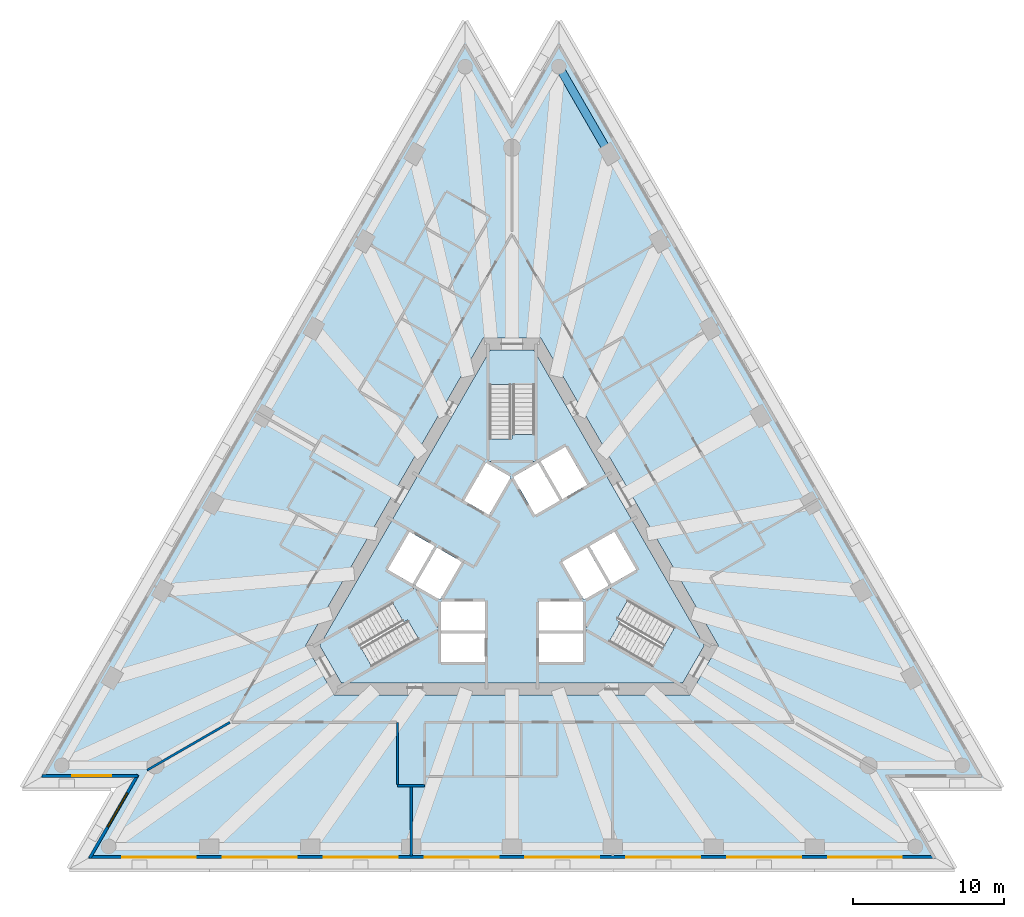
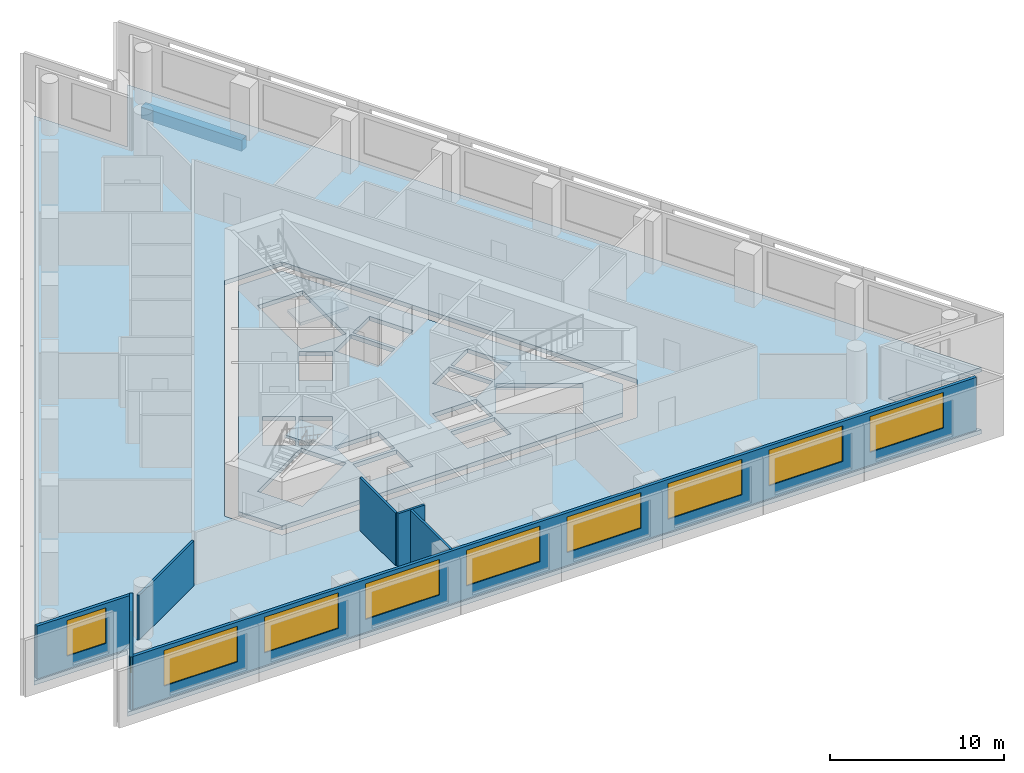
# One storey, part 2 of 9: 10 windows, 7 walls, 5 slabs, 1 beam, 10 openings, 3 elements without a shape of their own.
"""IFC4 building model written with IfcOpenShell, lengths in metres."""

import ifcopenshell
import ifcopenshell.guid

model = None  # the IFC model being written
_history = None  # IfcOwnerHistory: only IFC2X3 demands one
_inside = {}  # id of a spatial element -> (the spatial element, [elements in it])
_under = {}  # id of a project, library or spatial element -> (it, [spatial elements below it])
_declared = {}  # id of a project -> (the project, [libraries it declares])
_typed = {}  # id of a type object -> (the type object, [elements of that type])
_made_of = {}  # id of a material, layer set ... -> (it, [elements and type objects made of it])


def new_model(schema):
    """Start an empty IFC model of exactly this schema.

    Asked for "IFC4X3", IfcOpenShell would pick the latest addendum, in which some entities
    have other attributes; the version numbers below select the first issue.
    IFC2X3 requires an IfcOwnerHistory on every rooted entity: one is made here for all.
    """
    global model, _history
    if schema == "IFC4X3":
        model = ifcopenshell.file(schema_version=(4, 3, 0, 0))
    else:
        model = ifcopenshell.file(schema=schema)
    _inside.clear()
    _under.clear()
    _declared.clear()
    _typed.clear()
    _made_of.clear()
    _history = None
    if model.schema == "IFC2X3":
        org = make("IfcOrganization", Name="unknown")
        user = make(
            "IfcPersonAndOrganization",
            ThePerson=make("IfcPerson", FamilyName="unknown"),
            TheOrganization=org,
        )
        app = make(
            "IfcApplication",
            ApplicationDeveloper=org,
            Version="unknown",
            ApplicationFullName="unknown",
            ApplicationIdentifier="unknown",
        )
        _history = make(
            "IfcOwnerHistory",
            OwningUser=user,
            OwningApplication=app,
            ChangeAction="ADDED",
            CreationDate=0,
        )
    return model


def make(cls, **values):
    """One entity of the class cls with the attributes given. An attribute that is None is left unset."""
    return model.create_entity(
        cls, **{name: value for name, value in values.items() if value is not None}
    )


def rooted(cls, **values):
    """An entity with a GlobalId (a new one), such as an element, a storey or a relation."""
    return make(cls, GlobalId=ifcopenshell.guid.new(), OwnerHistory=_history, **values)


def si_unit(unit_type, name, prefix=None):
    """IfcSIUnit, for example si_unit("LENGTHUNIT", "METRE", prefix="MILLI")."""
    return make("IfcSIUnit", UnitType=unit_type, Prefix=prefix, Name=name)


def assignment(units):
    """IfcUnitAssignment: the units of a project."""
    return None if units is None else make("IfcUnitAssignment", Units=units)


def point(xyz):
    """IfcCartesianPoint."""
    return None if xyz is None else make("IfcCartesianPoint", Coordinates=xyz)


def direction(xyz):
    """IfcDirection."""
    return None if xyz is None else make("IfcDirection", DirectionRatios=xyz)


def frame(location, z_axis=None, x_axis=None):
    """IfcAxis2Placement3D, a coordinate frame: its origin and axes. An axis left out is left unset."""
    return make(
        "IfcAxis2Placement3D",
        Location=point(location),
        Axis=direction(z_axis),
        RefDirection=direction(x_axis),
    )


def frame_2d(location, x_axis=None):
    """IfcAxis2Placement2D, a coordinate frame in the plane: its origin and x axis."""
    return make(
        "IfcAxis2Placement2D", Location=point(location), RefDirection=direction(x_axis)
    )


def origin():
    """The frame at (0, 0, 0) with its axes left unset."""
    return frame((0.0, 0.0, 0.0))


def origin_2d():
    """The frame at (0, 0) in the plane with its x axis left unset."""
    return frame_2d((0.0, 0.0))


def place(relative_to, where):
    """IfcLocalPlacement: puts the frame where relative to a parent placement (None: the world)."""
    return make(
        "IfcLocalPlacement", PlacementRelTo=relative_to, RelativePlacement=where
    )


def context(
    kind, dimensions, precision=None, world=None, true_north=None, identifier=None
):
    """IfcGeometricRepresentationContext, for example the 3D "Model" context."""
    return make(
        "IfcGeometricRepresentationContext",
        ContextIdentifier=identifier,
        ContextType=kind,
        CoordinateSpaceDimension=dimensions,
        Precision=precision,
        WorldCoordinateSystem=world,
        TrueNorth=true_north,
    )


def subcontext(parent, identifier, kind, view, scale=None):
    """IfcGeometricRepresentationSubContext, for example "Body" below "Model"."""
    return make(
        "IfcGeometricRepresentationSubContext",
        ContextIdentifier=identifier,
        ContextType=kind,
        ParentContext=parent,
        TargetScale=scale,
        TargetView=view,
    )


def project(units=None, contexts=None):
    """IfcProject with its units and contexts."""
    return rooted(
        "IfcProject",
        Name="project",
        RepresentationContexts=contexts,
        UnitsInContext=assignment(units),
    )


def spatial(cls, under=None, at=None, **own):
    """A site, building, storey or space (cls), placed at a placement, below another one or the project."""
    s = rooted(cls, ObjectPlacement=at, **own)
    if under is not None:
        _under.setdefault(under.id(), (under, []))[1].append(s)
    return s


def polyline(points):
    """IfcPolyline through the points."""
    return make("IfcPolyline", Points=[point(p) for p in points])


def profile(cls, at=None, kind="AREA", **sizes):
    """A parametric profile (cls). Its sizes go by their IFC names, for example OverallWidth=200.0."""
    return make(cls, ProfileType=kind, Position=at, **sizes)


def rectangle(**sizes):
    """IfcRectangleProfileDef."""
    return profile("IfcRectangleProfileDef", **sizes)


def outline(outer, holes=None, kind="AREA"):
    """IfcArbitraryClosedProfileDef: a profile drawn as a closed curve; with holes, ...WithVoids."""
    if holes is None:
        return make("IfcArbitraryClosedProfileDef", ProfileType=kind, OuterCurve=outer)
    return make(
        "IfcArbitraryProfileDefWithVoids",
        ProfileType=kind,
        OuterCurve=outer,
        InnerCurves=holes,
    )


def extrude(swept, where, along, depth):
    """IfcExtrudedAreaSolid: the profile swept, set in the frame where, extruded along a direction by depth."""
    return make(
        "IfcExtrudedAreaSolid",
        SweptArea=swept,
        Position=where,
        ExtrudedDirection=direction(along),
        Depth=depth,
    )


def shape(context_of_items, identifier, shape_type, items):
    """IfcShapeRepresentation: the items that make up one representation, for example the "Body"."""
    return make(
        "IfcShapeRepresentation",
        ContextOfItems=context_of_items,
        RepresentationIdentifier=identifier,
        RepresentationType=shape_type,
        Items=items,
    )


def material(Name=None, Category=None):
    """IfcMaterial."""
    return make("IfcMaterial", Name=Name, Category=Category)


def layer(
    of_material, thickness, ventilated=None, Name=None, Category=None, Priority=None
):
    """IfcMaterialLayer: one layer of a wall or slab, of a material (None: an air gap)."""
    return make(
        "IfcMaterialLayer",
        Material=of_material,
        LayerThickness=thickness,
        IsVentilated=ventilated,
        Name=Name,
        Category=Category,
        Priority=Priority,
    )


def layer_set(layers, Name=None):
    """IfcMaterialLayerSet."""
    return make("IfcMaterialLayerSet", MaterialLayers=layers, LayerSetName=Name)


def layer_usage(for_layer_set, set_direction, sense, offset, extent=None):
    """IfcMaterialLayerSetUsage: how a layer set lies in its element."""
    return make(
        "IfcMaterialLayerSetUsage",
        ForLayerSet=for_layer_set,
        LayerSetDirection=set_direction,
        DirectionSense=sense,
        OffsetFromReferenceLine=offset,
        ReferenceExtent=extent,
    )


def material_profile(
    of_material, cross_section, Name=None, Category=None, Priority=None
):
    """IfcMaterialProfile: a cross section and its material."""
    return make(
        "IfcMaterialProfile",
        Name=Name,
        Material=of_material,
        Profile=cross_section,
        Priority=Priority,
        Category=Category,
    )


def profile_set(profiles, Name=None, composite=None):
    """IfcMaterialProfileSet."""
    return make(
        "IfcMaterialProfileSet",
        Name=Name,
        MaterialProfiles=profiles,
        CompositeProfile=composite,
    )


def made_of(thing, what):
    """Note that an element or type object is made of a material, layer set ...; save() writes the relation."""
    if what is not None:
        _made_of.setdefault(what.id(), (what, []))[1].append(thing)
    return thing


def type_object(cls, material=None, **own):
    """A type object (cls), such as IfcWallType, which elements share."""
    return made_of(rooted(cls, **own), material)


def element(
    cls,
    number,
    at=None,
    inside=None,
    cuts=None,
    type_object=None,
    material=None,
    context=None,
    identifier="Body",
    shape_type=None,
    held_by="IfcProductDefinitionShape",
    body=None,
    shapes=None,
    **own,
):
    """One element of the class cls, such as IfcWall. Its Tag is "e" and its number.

    at: its placement. inside: the storey or other place that contains it. cuts: it is an
    opening in that element (IfcRelVoidsElement). A single representation is given by context,
    identifier, shape_type and body (its items); several are given by shapes. held_by: the class
    of the entity that holds the representations. save() writes the other relations.
    """
    e = rooted(cls, Tag="e%d" % number, ObjectPlacement=at, **own)
    if body is not None:
        shapes = [shape(context, identifier, shape_type, body)]
    if shapes is not None:
        e.Representation = make(held_by, Representations=shapes)
    if inside is not None:
        _inside.setdefault(inside.id(), (inside, []))[1].append(e)
    if cuts is not None:
        rooted(
            "IfcRelVoidsElement", RelatingBuildingElement=cuts, RelatedOpeningElement=e
        )
    if type_object is not None:
        _typed.setdefault(type_object.id(), (type_object, []))[1].append(e)
    return made_of(e, material)


def fill(opening, filler):
    """IfcRelFillsElement: the door or window that sits in an opening."""
    return rooted(
        "IfcRelFillsElement",
        RelatingOpeningElement=opening,
        RelatedBuildingElement=filler,
    )


def aggregate(whole, parts):
    """IfcRelAggregates: a whole, such as a stair, and the parts it consists of."""
    return rooted("IfcRelAggregates", RelatingObject=whole, RelatedObjects=parts)


def save(model, path):
    """Write the relations noted so far, then the file.

    IfcRelAggregates (storeys below a building ...), IfcRelContainedInSpatialStructure (elements
    in a storey), IfcRelDefinesByType, IfcRelAssociatesMaterial and IfcRelDeclares: one each for
    every whole, place, type object, material and project.
    """
    for whole, parts in _under.values():
        aggregate(whole, parts)
    for where, things in _inside.values():
        rooted(
            "IfcRelContainedInSpatialStructure",
            RelatedElements=things,
            RelatingStructure=where,
        )
    for kind, things in _typed.values():
        rooted("IfcRelDefinesByType", RelatedObjects=things, RelatingType=kind)
    for what, things in _made_of.values():
        rooted("IfcRelAssociatesMaterial", RelatedObjects=things, RelatingMaterial=what)
    for by, libraries in _declared.values():
        rooted("IfcRelDeclares", RelatingContext=by, RelatedDefinitions=libraries)
    model.write(path)


model = new_model("IFC4")

# Units and contexts
model_context = context("Model", 3, precision=1e-05, world=origin(), true_north=direction((0.0, 1.0)))
body_context = subcontext(model_context, "Body", "Model", "MODEL_VIEW")
ifc_project = project(units=[si_unit("LENGTHUNIT", "METRE"), si_unit("AREAUNIT", "SQUARE_METRE"), si_unit("VOLUMEUNIT", "CUBIC_METRE"), si_unit("PLANEANGLEUNIT", "RADIAN"), si_unit("MASSUNIT", "GRAM", prefix="KILO")], contexts=[model_context])

# Site, building, storey
site_placement = place(None, origin())
site = spatial("IfcSite", under=ifc_project, at=site_placement, CompositionType="ELEMENT")
building_placement = place(site_placement, origin())
building = spatial("IfcBuilding", under=site, at=building_placement, Name="Triada Interchange Tower", CompositionType="ELEMENT")
storey_placement = place(building_placement, frame((0.0, 0.0, 148.300048828125)))
storey = spatial("IfcBuildingStorey", under=building, at=storey_placement, Name="L34", CompositionType="ELEMENT", Elevation=148.300048828125)

# Beam
ifc_material_1 = material(Name="Concrete C50/60", Category="concrete")
ifc_material_profile = material_profile(ifc_material_1, rectangle(XDim=0.550048828125, YDim=0.800048828125, at=origin_2d()), Name="RC 550x800")
ifc_profile_set = profile_set([ifc_material_profile], Name="Concrete C50/60")
beam_type = type_object("IfcBeamType", Name="Spandrel beam B RC 550x800", PredefinedType="BEAM", material=ifc_profile_set)
beam_placement = place(storey_placement, frame((6.452880859375, 26.89990234375, -0.699951171875), z_axis=(-0.499965681329, 0.866045216772, 0.0), x_axis=(-0.866045216772, -0.499965681329, 0.0)))
element("IfcBeam", 1, at=beam_placement, inside=storey, type_object=beam_type, Name="Spandrel beam EB28 L34", PredefinedType="BEAM", context=body_context, shape_type="SweptSolid", body=[
    extrude(rectangle(XDim=0.550048828125, YDim=0.800048828125, at=origin_2d()), origin(), (0.0, 0.0, 1.0), 6.6904296875),
])

# Slabs
ifc_layer_1 = layer(ifc_material_1, 0.300048828125)
ifc_layer_set_1 = layer_set([ifc_layer_1], Name="Floor slab 300")
slab_type_1 = type_object("IfcSlabType", Name="Floor slab 300", PredefinedType="FLOOR", material=ifc_layer_set_1)
slab_1_placement = place(storey_placement, frame((0.0, 0.0, -0.300048828125)))
element("IfcSlab", 2, at=slab_1_placement, inside=storey, type_object=slab_type_1, Name="Floor slab L34", PredefinedType="FLOOR", context=body_context, shape_type="SweptSolid", body=[
    extrude(outline(polyline([(-3.10791015625, 34.493896484375), (-31.427001953125, -14.554931640625), (-25.2109375, -14.554931640625), (-28.319091796875, -19.93896484375), (28.319091796875, -19.93896484375), (25.2109375, -14.554931640625), (31.427001953125, -14.554931640625), (3.10791015625, 34.493896484375), (0.0, 29.111083984375), (-3.10791015625, 34.493896484375)]), holes=[polyline([(1.905029296875, 14.699951171875), (-1.905029296875, 14.699951171875), (-13.68310546875, -5.699951171875), (-11.778076171875, -9.0), (11.778076171875, -9.0), (13.68310546875, -5.699951171875), (1.905029296875, 14.699951171875)])]), origin(), (0.0, 0.0, 1.0), 0.300048828125),
])
slab_2_placement = place(storey_placement, frame((0.0, 0.0, -0.300048828125)))
element("IfcSlab", 3, at=slab_2_placement, inside=storey, type_object=slab_type_1, Name="Core floor slab L34 1", PredefinedType="FLOOR", context=body_context, shape_type="SweptSolid", body=[
    extrude(outline(polyline([(12.759033203125, -5.699951171875), (11.31591796875, -8.199951171875), (-11.31591796875, -8.199951171875), (-12.759033203125, -5.699951171875), (-1.443115234375, 13.89990234375), (1.443115234375, 13.89990234375), (12.759033203125, -5.699951171875)]), holes=[polyline([(9.2958984375, -7.09912109375), (10.7958984375, -4.5009765625), (6.466064453125, -2.0009765625), (4.966064453125, -4.59912109375), (9.2958984375, -7.09912109375)]), polyline([(6.7890625, 1.841064453125), (5.14404296875, 0.89111328125), (6.593994140625, -1.6201171875), (8.239013671875, -0.669921875), (6.7890625, 1.841064453125)]), polyline([(4.77490234375, -2.669921875), (6.419921875, -1.719970703125), (4.969970703125, 0.791015625), (3.9150390625, 0.181884765625), (3.324951171875, -0.158935546875), (4.77490234375, -2.669921875)]), polyline([(1.89404296875, 6.52001953125), (3.343994140625, 4.009033203125), (4.989013671875, 4.958984375), (3.5390625, 7.469970703125), (1.89404296875, 6.52001953125)]), polyline([(4.699951171875, -6.800048828125), (4.699951171875, -4.89990234375), (1.800048828125, -4.89990234375), (1.800048828125, -6.800048828125), (4.699951171875, -6.800048828125)]), polyline([(4.699951171875, -2.800048828125), (1.800048828125, -2.800048828125), (1.800048828125, -4.699951171875), (4.699951171875, -4.699951171875), (4.699951171875, -2.800048828125)]), polyline([(0.074951171875, 5.469970703125), (1.52490234375, 2.958984375), (3.169921875, 3.908935546875), (1.719970703125, 6.419921875), (0.074951171875, 5.469970703125)]), polyline([(1.5, 11.60009765625), (-1.5, 11.60009765625), (-1.5, 6.60009765625), (1.5, 6.60009765625), (1.5, 11.60009765625)]), polyline([(-1.52490234375, 2.958984375), (-0.074951171875, 5.469970703125), (-1.719970703125, 6.419921875), (-3.169921875, 3.908935546875), (-1.52490234375, 2.958984375)]), polyline([(-1.800048828125, -2.800048828125), (-4.699951171875, -2.800048828125), (-4.699951171875, -4.699951171875), (-1.800048828125, -4.699951171875), (-1.800048828125, -2.800048828125)]), polyline([(-4.699951171875, -6.800048828125), (-1.800048828125, -6.800048828125), (-1.800048828125, -4.89990234375), (-4.699951171875, -4.89990234375), (-4.699951171875, -6.800048828125)]), polyline([(-4.77490234375, -2.669921875), (-3.324951171875, -0.158935546875), (-4.969970703125, 0.791015625), (-6.419921875, -1.719970703125), (-4.77490234375, -2.669921875)]), polyline([(-10.7958984375, -4.5009765625), (-9.2958984375, -7.09912109375), (-4.966064453125, -4.59912109375), (-6.466064453125, -2.0009765625), (-10.7958984375, -4.5009765625)]), polyline([(-6.593994140625, -1.6201171875), (-5.14404296875, 0.89111328125), (-6.7890625, 1.841064453125), (-8.239013671875, -0.669921875), (-6.593994140625, -1.6201171875)])]), origin(), (0.0, 0.0, 1.0), 0.300048828125),
])

# Stair, slab
ifc_material_2 = material(Name="Concrete C35/45", Category="concrete")
stair_type = type_object("IfcStairType", Name="HALF TURN STAIR 1400", PredefinedType="HALF_TURN_STAIR", material=ifc_material_2)
stair_1_placement = place(storey_placement, origin())
stair_1 = element("IfcStair", 4, at=stair_1_placement, inside=storey, type_object=stair_type, Name="Exit stair S32-1", PredefinedType="HALF_TURN_STAIR")
ifc_layer_2 = layer(ifc_material_2, 0.199951171875)
ifc_layer_set_2 = layer_set([ifc_layer_2], Name="STAIR LANDING 200")
slab_type_2 = type_object("IfcSlabType", Name="STAIR LANDING 200", PredefinedType="LANDING", material=ifc_layer_set_2)
slab_3_placement = place(storey_placement, frame((0.0, 0.0, 1.719970703125)))
slab_3 = element("IfcSlab", 5, at=slab_3_placement, type_object=slab_type_2, Name="S32-1 landing 1", PredefinedType="LANDING", context=body_context, shape_type="SweptSolid", body=[
    extrude(outline(polyline([(1.60009765625, 6.5), (1.60009765625, 8.300048828125), (0.0, 8.300048828125), (0.0, 8.0), (-1.60009765625, 8.0), (-1.60009765625, 6.5), (1.60009765625, 6.5)])), origin(), (0.0, 0.0, 1.0), 0.199951171875),
])
aggregate(stair_1, [slab_3])

stair_2_placement = place(storey_placement, origin())
stair_2 = element("IfcStair", 6, at=stair_2_placement, inside=storey, type_object=stair_type, Name="Exit stair S32-2", PredefinedType="HALF_TURN_STAIR")
slab_4_placement = place(storey_placement, frame((0.0, 0.0, 1.719970703125)))
slab_4 = element("IfcSlab", 7, at=slab_4_placement, type_object=slab_type_2, Name="S32-2 landing 1", PredefinedType="LANDING", context=body_context, shape_type="SweptSolid", body=[
    extrude(outline(polyline([(-6.428955078125, -1.864013671875), (-7.988037109375, -2.763916015625), (-7.18798828125, -4.14990234375), (-6.927978515625, -4.0), (-6.1279296875, -5.385986328125), (-4.8291015625, -4.635986328125), (-6.428955078125, -1.864013671875)])), origin(), (0.0, 0.0, 1.0), 0.199951171875),
])
aggregate(stair_2, [slab_4])

stair_3_placement = place(storey_placement, origin())
stair_3 = element("IfcStair", 8, at=stair_3_placement, inside=storey, type_object=stair_type, Name="Exit stair S32-3", PredefinedType="HALF_TURN_STAIR")
slab_5_placement = place(storey_placement, frame((0.0, 0.0, 1.719970703125)))
slab_5 = element("IfcSlab", 9, at=slab_5_placement, type_object=slab_type_2, Name="S32-3 landing 1", PredefinedType="LANDING", context=body_context, shape_type="SweptSolid", body=[
    extrude(outline(polyline([(4.8291015625, -4.635986328125), (6.387939453125, -5.535888671875), (7.18798828125, -4.14990234375), (6.927978515625, -4.0), (7.72802734375, -2.614013671875), (6.428955078125, -1.864013671875), (4.8291015625, -4.635986328125)])), origin(), (0.0, 0.0, 1.0), 0.199951171875),
])
aggregate(stair_3, [slab_5])

# Wall, opening, window
ifc_material_3 = material(Name="Cement board")
ifc_layer_3 = layer(ifc_material_3, 0.02001953125, Name="Cement board cladding")
ifc_material_4 = material(Name="Sheathing board")
ifc_layer_4 = layer(ifc_material_4, 0.014892578125, Name="Sheathing board")
ifc_material_5 = material(Name="Mineral wool")
ifc_layer_5 = layer(ifc_material_5, 0.14990234375, Name="Mineral wool between steel studs")
ifc_material_6 = material(Name="Gypsum board")
ifc_layer_6 = layer(ifc_material_6, 0.014892578125, Name="Plasterboard lining")
ifc_layer_set_3 = layer_set([ifc_layer_3, ifc_layer_4, ifc_layer_5, ifc_layer_6], Name="External wall 200")
ifc_layer_usage = layer_usage(ifc_layer_set_3, "AXIS2", "POSITIVE", -0.10009765625)
wall_type_1 = type_object("IfcWallType", Name="External wall 200", PredefinedType="ELEMENTEDWALL", material=ifc_layer_set_3)
wall_1_placement = place(storey_placement, frame((-31.1708984375, -14.35498046875, 0.0), z_axis=(0.0, 0.0, 1.0), x_axis=(1.0, 0.0, 0.0)))
wall_1 = element("IfcWall", 10, at=wall_1_placement, inside=storey, type_object=wall_type_1, material=ifc_layer_usage, Name="External wall L34 SW-1", PredefinedType="ELEMENTEDWALL", context=body_context, shape_type="SweptSolid", body=[
    extrude(rectangle(XDim=6.3759765625, YDim=0.199951171875, at=frame_2d((3.18798828125, 0.0))), origin(), (0.0, 0.0, 1.0), 3.699951171875),
])
opening_1_placement = place(wall_1_placement, frame((1.989990234375, 0.0, 0.89990234375)))
opening_1 = element("IfcOpeningElement", 11, at=opening_1_placement, cuts=wall_1, Name="Opening WB09", PredefinedType="OPENING", context=body_context, shape_type="SweptSolid", body=[
    extrude(rectangle(XDim=2.60009765625, YDim=2.5, at=frame_2d((1.300048828125, 1.25))), frame((0.0, 0.10986328125, 0.0), z_axis=(0.0, -1.0, 0.0), x_axis=(1.0, 0.0, 0.0)), (0.0, 0.0, 1.0), 0.219970703125),
])
ifc_material_7 = material(Name="Double glazed aluminium window", Category="aluminium")
window_type_1 = type_object("IfcWindowType", Name="Ribbon window B pocket", PartitioningType="SINGLE_PANEL", PredefinedType="WINDOW", material=ifc_material_7)
window_1_placement = place(opening_1_placement, origin())
window_1 = element("IfcWindow", 12, at=window_1_placement, inside=storey, type_object=window_type_1, Name="Window L34 SW-1 1", OverallHeight=2.5, OverallWidth=2.60009765625, PartitioningType="SINGLE_PANEL", PredefinedType="WINDOW", context=body_context, shape_type="SweptSolid", body=[
    extrude(rectangle(XDim=2.60009765625, YDim=2.5, at=frame_2d((1.300048828125, 1.25))), frame((0.0, 0.030029296875, 0.0), z_axis=(0.0, -1.0, 0.0), x_axis=(1.0, 0.0, 0.0)), (0.0, 0.0, 1.0), 0.06005859375),
])
fill(opening_1, window_1)

wall_2_placement = place(storey_placement, frame((-24.820068359375, -14.277099609375, 0.0), z_axis=(0.0, 0.0, 1.0), x_axis=(-0.499919089554, -0.866072112413, 0.0)))
wall_2 = element("IfcWall", 13, at=wall_2_placement, inside=storey, type_object=wall_type_1, material=ifc_layer_usage, Name="External wall L34 SW-2", PredefinedType="ELEMENTEDWALL", context=body_context, shape_type="SweptSolid", body=[
    extrude(rectangle(XDim=6.376953125, YDim=0.199951171875, at=frame_2d((3.1884765625, 0.0))), origin(), (0.0, 0.0, 1.0), 3.699951171875),
])
opening_2_placement = place(wall_2_placement, frame((1.389892578125, 0.0, 0.89990234375)))
opening_2 = element("IfcOpeningElement", 14, at=opening_2_placement, cuts=wall_2, Name="Opening WB10", PredefinedType="OPENING", context=body_context, shape_type="SweptSolid", body=[
    extrude(rectangle(XDim=2.60009765625, YDim=2.5, at=frame_2d((1.300048828125, 1.25))), frame((0.0, 0.10986328125, 0.0), z_axis=(0.0, -1.0, 0.0), x_axis=(1.0, 0.0, 0.0)), (0.0, 0.0, 1.0), 0.219970703125),
])
window_2_placement = place(opening_2_placement, origin())
window_2 = element("IfcWindow", 15, at=window_2_placement, inside=storey, type_object=window_type_1, Name="Window L34 SW-2 1", OverallHeight=2.5, OverallWidth=2.60009765625, PartitioningType="SINGLE_PANEL", PredefinedType="WINDOW", context=body_context, shape_type="SweptSolid", body=[
    extrude(rectangle(XDim=2.60009765625, YDim=2.5, at=frame_2d((1.300048828125, 1.25))), frame((0.0, 0.030029296875, 0.0), z_axis=(0.0, -1.0, 0.0), x_axis=(1.0, 0.0, 0.0)), (0.0, 0.0, 1.0), 0.06005859375),
])
fill(opening_2, window_2)

# Wall, openings, windows
wall_3_placement = place(storey_placement, frame((-28.06298828125, -19.739013671875, 0.0), z_axis=(0.0, 0.0, 1.0), x_axis=(1.0, 0.0, 0.0)))
wall_3 = element("IfcWall", 16, at=wall_3_placement, inside=storey, type_object=wall_type_1, material=ifc_layer_usage, Name="External wall L34 S", PredefinedType="ELEMENTEDWALL", context=body_context, shape_type="SweptSolid", body=[
    extrude(rectangle(XDim=56.10595703125, YDim=0.199951171875, at=frame_2d((28.052978515625, 0.0))), origin(), (0.0, 0.0, 1.0), 3.699951171875),
])
opening_3_placement = place(wall_3_placement, frame((2.197998046875, 0.0, 0.89990234375)))
opening_3 = element("IfcOpeningElement", 17, at=opening_3_placement, cuts=wall_3, Name="Opening WB11", PredefinedType="OPENING", context=body_context, shape_type="SweptSolid", body=[
    extrude(rectangle(XDim=4.89990234375, YDim=2.5, at=frame_2d((2.449951171875, 1.25))), frame((0.0, 0.10986328125, 0.0), z_axis=(0.0, -1.0, 0.0), x_axis=(1.0, 0.0, 0.0)), (0.0, 0.0, 1.0), 0.219970703125),
])
opening_4_placement = place(wall_3_placement, frame((8.887939453125, 0.0, 0.89990234375)))
opening_4 = element("IfcOpeningElement", 18, at=opening_4_placement, cuts=wall_3, Name="Opening WB12", PredefinedType="OPENING", context=body_context, shape_type="SweptSolid", body=[
    extrude(rectangle(XDim=4.89990234375, YDim=2.5, at=frame_2d((2.449951171875, 1.25))), frame((0.0, 0.10986328125, 0.0), z_axis=(0.0, -1.0, 0.0), x_axis=(1.0, 0.0, 0.0)), (0.0, 0.0, 1.0), 0.219970703125),
])
opening_5_placement = place(wall_3_placement, frame((15.577880859375, 0.0, 0.89990234375)))
opening_5 = element("IfcOpeningElement", 19, at=opening_5_placement, cuts=wall_3, Name="Opening WB13", PredefinedType="OPENING", context=body_context, shape_type="SweptSolid", body=[
    extrude(rectangle(XDim=4.89990234375, YDim=2.5, at=frame_2d((2.449951171875, 1.25))), frame((0.0, 0.10986328125, 0.0), z_axis=(0.0, -1.0, 0.0), x_axis=(1.0, 0.0, 0.0)), (0.0, 0.0, 1.0), 0.219970703125),
])
opening_6_placement = place(wall_3_placement, frame((22.26806640625, 0.0, 0.89990234375)))
opening_6 = element("IfcOpeningElement", 20, at=opening_6_placement, cuts=wall_3, Name="Opening WB14", PredefinedType="OPENING", context=body_context, shape_type="SweptSolid", body=[
    extrude(rectangle(XDim=4.89990234375, YDim=2.5, at=frame_2d((2.449951171875, 1.25))), frame((0.0, 0.10986328125, 0.0), z_axis=(0.0, -1.0, 0.0), x_axis=(1.0, 0.0, 0.0)), (0.0, 0.0, 1.0), 0.219970703125),
])
opening_7_placement = place(wall_3_placement, frame((28.9580078125, 0.0, 0.89990234375)))
opening_7 = element("IfcOpeningElement", 21, at=opening_7_placement, cuts=wall_3, Name="Opening WB15", PredefinedType="OPENING", context=body_context, shape_type="SweptSolid", body=[
    extrude(rectangle(XDim=4.89990234375, YDim=2.5, at=frame_2d((2.449951171875, 1.25))), frame((0.0, 0.10986328125, 0.0), z_axis=(0.0, -1.0, 0.0), x_axis=(1.0, 0.0, 0.0)), (0.0, 0.0, 1.0), 0.219970703125),
])
opening_8_placement = place(wall_3_placement, frame((35.64794921875, 0.0, 0.89990234375)))
opening_8 = element("IfcOpeningElement", 22, at=opening_8_placement, cuts=wall_3, Name="Opening WB16", PredefinedType="OPENING", context=body_context, shape_type="SweptSolid", body=[
    extrude(rectangle(XDim=4.89990234375, YDim=2.5, at=frame_2d((2.449951171875, 1.25))), frame((0.0, 0.10986328125, 0.0), z_axis=(0.0, -1.0, 0.0), x_axis=(1.0, 0.0, 0.0)), (0.0, 0.0, 1.0), 0.219970703125),
])
opening_9_placement = place(wall_3_placement, frame((42.337890625, 0.0, 0.89990234375)))
opening_9 = element("IfcOpeningElement", 23, at=opening_9_placement, cuts=wall_3, Name="Opening WB17", PredefinedType="OPENING", context=body_context, shape_type="SweptSolid", body=[
    extrude(rectangle(XDim=4.89990234375, YDim=2.5, at=frame_2d((2.449951171875, 1.25))), frame((0.0, 0.10986328125, 0.0), z_axis=(0.0, -1.0, 0.0), x_axis=(1.0, 0.0, 0.0)), (0.0, 0.0, 1.0), 0.219970703125),
])
opening_10_placement = place(wall_3_placement, frame((49.028076171875, 0.0, 0.89990234375)))
opening_10 = element("IfcOpeningElement", 24, at=opening_10_placement, cuts=wall_3, Name="Opening WB18", PredefinedType="OPENING", context=body_context, shape_type="SweptSolid", body=[
    extrude(rectangle(XDim=4.89990234375, YDim=2.5, at=frame_2d((2.449951171875, 1.25))), frame((0.0, 0.10986328125, 0.0), z_axis=(0.0, -1.0, 0.0), x_axis=(1.0, 0.0, 0.0)), (0.0, 0.0, 1.0), 0.219970703125),
])
window_type_2 = type_object("IfcWindowType", Name="Ribbon window B face", PartitioningType="SINGLE_PANEL", PredefinedType="WINDOW", material=ifc_material_7)
window_3_placement = place(opening_3_placement, origin())
window_3 = element("IfcWindow", 25, at=window_3_placement, inside=storey, type_object=window_type_2, Name="Window L34 S 1", OverallHeight=2.5, OverallWidth=4.89990234375, PartitioningType="SINGLE_PANEL", PredefinedType="WINDOW", context=body_context, shape_type="SweptSolid", body=[
    extrude(rectangle(XDim=4.89990234375, YDim=2.5, at=frame_2d((2.449951171875, 1.25))), frame((0.0, 0.030029296875, 0.0), z_axis=(0.0, -1.0, 0.0), x_axis=(1.0, 0.0, 0.0)), (0.0, 0.0, 1.0), 0.06005859375),
])
fill(opening_3, window_3)
window_4_placement = place(opening_4_placement, origin())
window_4 = element("IfcWindow", 26, at=window_4_placement, inside=storey, type_object=window_type_2, Name="Window L34 S 2", OverallHeight=2.5, OverallWidth=4.89990234375, PartitioningType="SINGLE_PANEL", PredefinedType="WINDOW", context=body_context, shape_type="SweptSolid", body=[
    extrude(rectangle(XDim=4.89990234375, YDim=2.5, at=frame_2d((2.449951171875, 1.25))), frame((0.0, 0.030029296875, 0.0), z_axis=(0.0, -1.0, 0.0), x_axis=(1.0, 0.0, 0.0)), (0.0, 0.0, 1.0), 0.06005859375),
])
fill(opening_4, window_4)
window_5_placement = place(opening_5_placement, origin())
window_5 = element("IfcWindow", 27, at=window_5_placement, inside=storey, type_object=window_type_2, Name="Window L34 S 3", OverallHeight=2.5, OverallWidth=4.89990234375, PartitioningType="SINGLE_PANEL", PredefinedType="WINDOW", context=body_context, shape_type="SweptSolid", body=[
    extrude(rectangle(XDim=4.89990234375, YDim=2.5, at=frame_2d((2.449951171875, 1.25))), frame((0.0, 0.030029296875, 0.0), z_axis=(0.0, -1.0, 0.0), x_axis=(1.0, 0.0, 0.0)), (0.0, 0.0, 1.0), 0.06005859375),
])
fill(opening_5, window_5)
window_6_placement = place(opening_6_placement, origin())
window_6 = element("IfcWindow", 28, at=window_6_placement, inside=storey, type_object=window_type_2, Name="Window L34 S 4", OverallHeight=2.5, OverallWidth=4.89990234375, PartitioningType="SINGLE_PANEL", PredefinedType="WINDOW", context=body_context, shape_type="SweptSolid", body=[
    extrude(rectangle(XDim=4.89990234375, YDim=2.5, at=frame_2d((2.449951171875, 1.25))), frame((0.0, 0.030029296875, 0.0), z_axis=(0.0, -1.0, 0.0), x_axis=(1.0, 0.0, 0.0)), (0.0, 0.0, 1.0), 0.06005859375),
])
fill(opening_6, window_6)
window_7_placement = place(opening_7_placement, origin())
window_7 = element("IfcWindow", 29, at=window_7_placement, inside=storey, type_object=window_type_2, Name="Window L34 S 5", OverallHeight=2.5, OverallWidth=4.89990234375, PartitioningType="SINGLE_PANEL", PredefinedType="WINDOW", context=body_context, shape_type="SweptSolid", body=[
    extrude(rectangle(XDim=4.89990234375, YDim=2.5, at=frame_2d((2.449951171875, 1.25))), frame((0.0, 0.030029296875, 0.0), z_axis=(0.0, -1.0, 0.0), x_axis=(1.0, 0.0, 0.0)), (0.0, 0.0, 1.0), 0.06005859375),
])
fill(opening_7, window_7)
window_8_placement = place(opening_8_placement, origin())
window_8 = element("IfcWindow", 30, at=window_8_placement, inside=storey, type_object=window_type_2, Name="Window L34 S 6", OverallHeight=2.5, OverallWidth=4.89990234375, PartitioningType="SINGLE_PANEL", PredefinedType="WINDOW", context=body_context, shape_type="SweptSolid", body=[
    extrude(rectangle(XDim=4.89990234375, YDim=2.5, at=frame_2d((2.449951171875, 1.25))), frame((0.0, 0.030029296875, 0.0), z_axis=(0.0, -1.0, 0.0), x_axis=(1.0, 0.0, 0.0)), (0.0, 0.0, 1.0), 0.06005859375),
])
fill(opening_8, window_8)
window_9_placement = place(opening_9_placement, origin())
window_9 = element("IfcWindow", 31, at=window_9_placement, inside=storey, type_object=window_type_2, Name="Window L34 S 7", OverallHeight=2.5, OverallWidth=4.89990234375, PartitioningType="SINGLE_PANEL", PredefinedType="WINDOW", context=body_context, shape_type="SweptSolid", body=[
    extrude(rectangle(XDim=4.89990234375, YDim=2.5, at=frame_2d((2.449951171875, 1.25))), frame((0.0, 0.030029296875, 0.0), z_axis=(0.0, -1.0, 0.0), x_axis=(1.0, 0.0, 0.0)), (0.0, 0.0, 1.0), 0.06005859375),
])
fill(opening_9, window_9)
window_10_placement = place(opening_10_placement, origin())
window_10 = element("IfcWindow", 32, at=window_10_placement, inside=storey, type_object=window_type_2, Name="Window L34 S 8", OverallHeight=2.5, OverallWidth=4.89990234375, PartitioningType="SINGLE_PANEL", PredefinedType="WINDOW", context=body_context, shape_type="SweptSolid", body=[
    extrude(rectangle(XDim=4.89990234375, YDim=2.5, at=frame_2d((2.449951171875, 1.25))), frame((0.0, 0.030029296875, 0.0), z_axis=(0.0, -1.0, 0.0), x_axis=(1.0, 0.0, 0.0)), (0.0, 0.0, 1.0), 0.06005859375),
])
fill(opening_10, window_10)

# Walls
ifc_material_8 = material(Name="Gypsum board partition")
ifc_layer_7 = layer(ifc_material_8, 0.14990234375)
ifc_layer_set_4 = layer_set([ifc_layer_7], Name="PARTITION 150 EI 180")
wall_type_2 = type_object("IfcWallType", Name="PARTITION 150 EI 180", PredefinedType="PARTITIONING", material=ifc_layer_set_4)
wall_4_placement = place(storey_placement, frame((-24.18896484375, -13.965087890625, 0.0), z_axis=(0.0, 0.0, 1.0), x_axis=(0.865994217434, 0.500054012454, 0.0)))
element("IfcWall", 33, at=wall_4_placement, inside=storey, type_object=wall_type_2, Name="Wall L32 1", PredefinedType="PARTITIONING", context=body_context, shape_type="SweptSolid", body=[
    extrude(rectangle(XDim=6.331298828125, YDim=0.14990234375, at=frame_2d((3.16552734375, 0.0))), origin(), (0.0, 0.0, 1.0), 3.14990234375),
])
wall_5_placement = place(storey_placement, frame((-7.590087890625, -15.0, 0.0), z_axis=(0.0, 0.0, 1.0), x_axis=(1.0, 0.0, 0.0)))
element("IfcWall", 34, at=wall_5_placement, inside=storey, type_object=wall_type_2, Name="Wall L32 3", PredefinedType="PARTITIONING", context=body_context, shape_type="SweptSolid", body=[
    extrude(rectangle(XDim=1.800048828125, YDim=0.14990234375, at=frame_2d((0.89990234375, 0.0))), origin(), (0.0, 0.0, 1.0), 3.699951171875),
])
wall_6_placement = place(storey_placement, frame((-7.590087890625, -14.925048828125, 0.0), z_axis=(0.0, 0.0, 1.0), x_axis=(0.0, 1.0, 0.0)))
element("IfcWall", 35, at=wall_6_placement, inside=storey, type_object=wall_type_2, Name="Wall L32 4", PredefinedType="PARTITIONING", context=body_context, shape_type="SweptSolid", body=[
    extrude(rectangle(XDim=4.1240234375, YDim=0.14990234375, at=frame_2d((2.06201171875, 0.0))), origin(), (0.0, 0.0, 1.0), 3.699951171875),
])
wall_7_placement = place(storey_placement, frame((-6.68994140625, -19.658935546875, 0.0), z_axis=(0.0, 0.0, 1.0), x_axis=(0.0, 1.0, 0.0)))
element("IfcWall", 36, at=wall_7_placement, inside=storey, type_object=wall_type_2, Name="Wall L32 23", PredefinedType="PARTITIONING", context=body_context, shape_type="SweptSolid", body=[
    extrude(rectangle(XDim=4.583984375, YDim=0.14990234375, at=frame_2d((2.2919921875, 0.0))), origin(), (0.0, 0.0, 1.0), 3.699951171875),
])

save(model, "model.ifc")
